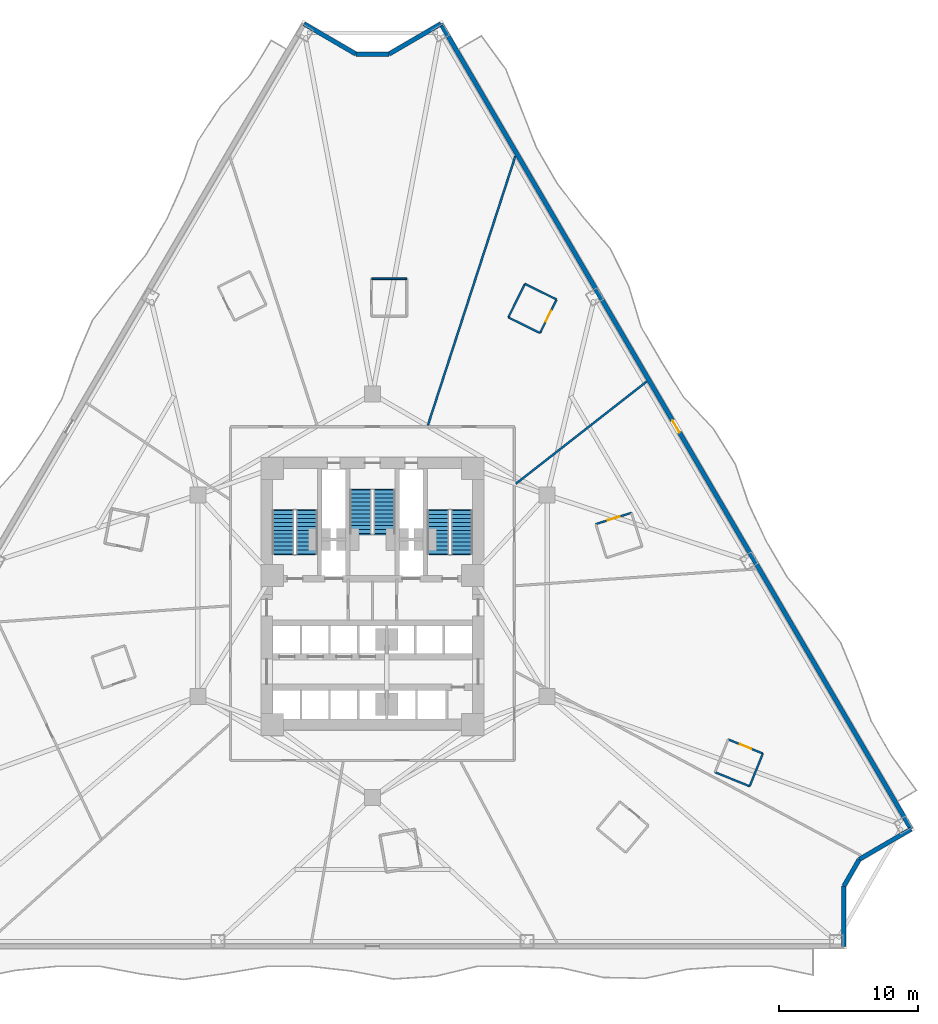
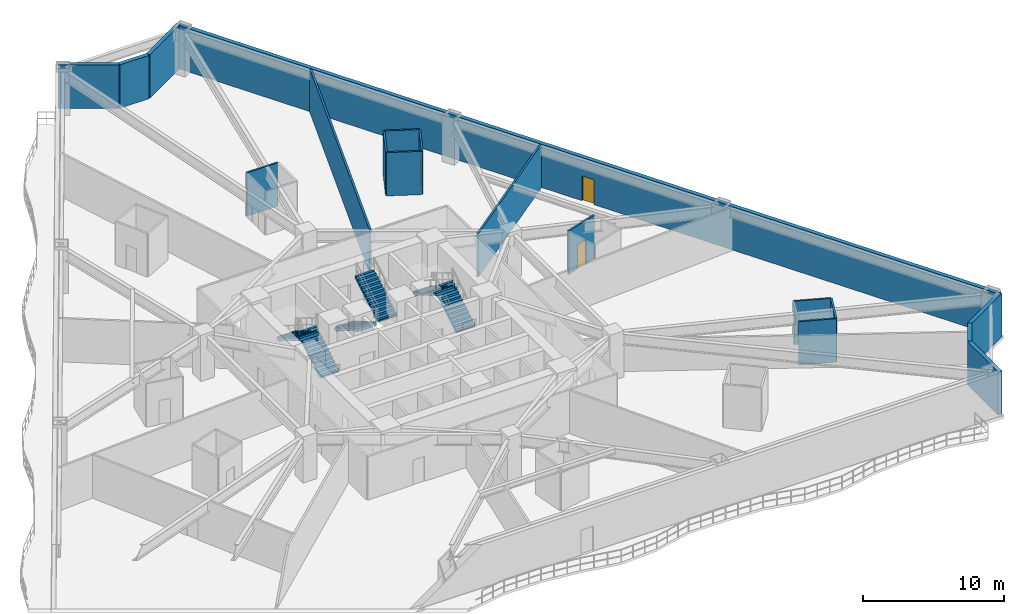
# One storey, part 7 of 12: 18 walls, 6 stair flights, 4 doors, 4 openings, 3 elements without a shape of their own.
"""IFC4 building model written with IfcOpenShell, lengths in metres."""

from ifc_helpers import new_model, si_unit, direction, frame, frame_2d, origin, place, context, subcontext, project, spatial, polyline, rectangle, outline, extrude, material, layer, layer_set, type_object, element, fill, aggregate, save


model = new_model("IFC4")

# Units and contexts
model_context = context("Model", 3, precision=1e-05, world=origin(), true_north=direction((0.0, 1.0)))
body_context = subcontext(model_context, "Body", "Model", "MODEL_VIEW")
ifc_project = project(units=[si_unit("LENGTHUNIT", "METRE"), si_unit("AREAUNIT", "SQUARE_METRE"), si_unit("VOLUMEUNIT", "CUBIC_METRE"), si_unit("PLANEANGLEUNIT", "RADIAN"), si_unit("MASSUNIT", "GRAM", prefix="KILO")], contexts=[model_context])

# Site, building, storey
site_placement = place(None, origin())
site = spatial("IfcSite", under=ifc_project, at=site_placement, CompositionType="ELEMENT")
building_placement = place(site_placement, origin())
building = spatial("IfcBuilding", under=site, at=building_placement, Name="Apsidion Concourse Tower", CompositionType="ELEMENT")
storey_placement = place(building_placement, frame((0.0, 0.0, 34.39990234375)))
storey = spatial("IfcBuildingStorey", under=building, at=storey_placement, Name="L06", CompositionType="ELEMENT", Elevation=34.39990234375)

# Wall, opening, door
ifc_material_1 = material(Name="Precast concrete C40/50", Category="concrete")
ifc_layer_1 = layer(ifc_material_1, 0.320068359375)
ifc_layer_set_1 = layer_set([ifc_layer_1], Name="Precast concrete C40/50")
wall_type_1 = type_object("IfcWallType", Name="WL-EXT-320", PredefinedType="STANDARD", material=ifc_layer_set_1)
wall_1_placement = place(storey_placement, frame((4.9228515625, 41.121826171875, 0.0), z_axis=(0.0, 0.0, 1.0), x_axis=(0.504213113214, -0.863579258935, 0.0)))
wall_1 = element("IfcWall", 1, at=wall_1_placement, inside=storey, type_object=wall_type_1, Name="L06 Precast Stone Facade Wall 01", PredefinedType="STANDARD", context=body_context, shape_type="SweptSolid", body=[
    extrude(rectangle(XDim=67.041015625, YDim=0.320068359375, at=frame_2d((33.5205078125, 0.0))), origin(), (0.0, 0.0, 1.0), 3.75),
])
opening_1_placement = place(wall_1_placement, frame((33.0205078125, 0.0, 0.0)))
opening_1 = element("IfcOpeningElement", 2, at=opening_1_placement, cuts=wall_1, Name="Opening D-T1L", PredefinedType="OPENING", context=body_context, shape_type="SweptSolid", body=[
    extrude(rectangle(XDim=1.0, YDim=2.14990234375, at=frame_2d((0.5, 1.074951171875))), frame((0.0, 0.169921875, 0.0), z_axis=(0.0, -1.0, 0.0), x_axis=(1.0, 0.0, 0.0)), (0.0, 0.0, 1.0), 0.340087890625),
])
ifc_material_2 = material(Name="Anodised aluminium EN AW-6063 T6", Category="aluminium")
door_type_1 = type_object("IfcDoorType", Name="DR-TER-1022L", OperationType="SINGLE_SWING_LEFT", PredefinedType="DOOR", material=ifc_material_2)
door_1_placement = place(opening_1_placement, origin())
door_1 = element("IfcDoor", 3, at=door_1_placement, inside=storey, type_object=door_type_1, Name="L06 Balcony Access Door 3", OperationType="SINGLE_SWING_LEFT", OverallHeight=2.14990234375, OverallWidth=1.0, PredefinedType="DOOR", context=body_context, shape_type="SweptSolid", body=[
    extrude(rectangle(XDim=1.0, YDim=2.14990234375, at=frame_2d((0.5, 1.074951171875))), frame((0.0, 0.02490234375, 0.0), z_axis=(0.0, -1.0, 0.0), x_axis=(1.0, 0.0, 0.0)), (0.0, 0.0, 1.0), 0.050048828125),
])
fill(opening_1, door_1)

# Walls
wall_2_placement = place(storey_placement, frame((38.725830078125, -16.7734375, 0.0), z_axis=(0.0, 0.0, 1.0), x_axis=(-0.863569936823, -0.504229079105, 0.0)))
element("IfcWall", 4, at=wall_2_placement, inside=storey, type_object=wall_type_1, Name="L06 Precast Stone Facade Wall 02", PredefinedType="STANDARD", context=body_context, shape_type="SweptSolid", body=[
    extrude(rectangle(XDim=4.32373046875, YDim=0.320068359375, at=frame_2d((2.161865234375, 0.0))), origin(), (0.0, 0.0, 1.0), 3.75),
])
wall_3_placement = place(storey_placement, frame((34.991943359375, -18.95361328125, 0.0), z_axis=(0.0, 0.0, 1.0), x_axis=(-0.497881323344, -0.867245171717, 0.0)))
element("IfcWall", 5, at=wall_3_placement, inside=storey, type_object=wall_type_1, Name="L06 Precast Stone Facade Wall 03", PredefinedType="STANDARD", context=body_context, shape_type="SweptSolid", body=[
    extrude(rectangle(XDim=2.216796875, YDim=0.320068359375, at=frame_2d((1.1083984375, 0.0))), origin(), (0.0, 0.0, 1.0), 3.75),
])
wall_4_placement = place(storey_placement, frame((33.88818359375, -20.876220703125, 0.0), z_axis=(0.0, 0.0, 1.0), x_axis=(0.0, -1.0, 0.0)))
element("IfcWall", 6, at=wall_4_placement, inside=storey, type_object=wall_type_1, Name="L06 Precast Stone Facade Wall 04", PredefinedType="STANDARD", context=body_context, shape_type="SweptSolid", body=[
    extrude(rectangle(XDim=4.32373046875, YDim=0.320068359375, at=frame_2d((2.161865234375, 0.0))), origin(), (0.0, 0.0, 1.0), 3.75),
])
wall_5_placement = place(storey_placement, frame((-4.9228515625, 41.121826171875, 0.0), z_axis=(0.0, 0.0, 1.0), x_axis=(0.863588414101, -0.50419743259, 0.0)))
element("IfcWall", 7, at=wall_5_placement, inside=storey, type_object=wall_type_1, Name="L06 Precast Stone Facade Wall 10", PredefinedType="STANDARD", context=body_context, shape_type="SweptSolid", body=[
    extrude(rectangle(XDim=4.324462890625, YDim=0.320068359375, at=frame_2d((2.162109375, 0.0))), origin(), (0.0, 0.0, 1.0), 3.75),
])
wall_6_placement = place(storey_placement, frame((-1.188232421875, 38.94140625, 0.0), z_axis=(0.0, 0.0, 1.0), x_axis=(1.0, 0.0, 0.0)))
element("IfcWall", 8, at=wall_6_placement, inside=storey, type_object=wall_type_1, Name="L06 Precast Stone Facade Wall 11", PredefinedType="STANDARD", context=body_context, shape_type="SweptSolid", body=[
    extrude(rectangle(XDim=2.37646484375, YDim=0.320068359375, at=frame_2d((1.188232421875, 0.0))), origin(), (0.0, 0.0, 1.0), 3.75),
])
wall_7_placement = place(storey_placement, frame((1.188232421875, 38.94140625, 0.0), z_axis=(0.0, 0.0, 1.0), x_axis=(0.863588414101, 0.50419743259, 0.0)))
element("IfcWall", 9, at=wall_7_placement, inside=storey, type_object=wall_type_1, Name="L06 Precast Stone Facade Wall 12", PredefinedType="STANDARD", context=body_context, shape_type="SweptSolid", body=[
    extrude(rectangle(XDim=4.324462890625, YDim=0.320068359375, at=frame_2d((2.162109375, 0.0))), origin(), (0.0, 0.0, 1.0), 3.75),
])
ifc_material_3 = material(Name="Gypsum plasterboard partition")
ifc_layer_2 = layer(ifc_material_3, 0.139892578125)
ifc_layer_set_2 = layer_set([ifc_layer_2], Name="Gypsum plasterboard partition")
wall_type_2 = type_object("IfcWallType", Name="WL-INT-PAR-140", PredefinedType="PARTITIONING", material=ifc_layer_set_2)
wall_8_placement = place(storey_placement, frame((24.6201171875, -12.68212890625, 0.0), z_axis=(0.0, 0.0, 1.0), x_axis=(0.926542709205, -0.376189590524, 0.0)))
element("IfcWall", 10, at=wall_8_placement, inside=storey, type_object=wall_type_2, Name="L06 Interior Partition WL-L06-POD-ENS04-S1", PredefinedType="PARTITIONING", context=body_context, shape_type="SweptSolid", body=[
    extrude(rectangle(XDim=2.68994140625, YDim=0.139892578125, at=frame_2d((1.344970703125, 0.0))), origin(), (0.0, 0.0, 1.0), 3.75),
])
wall_9_placement = place(storey_placement, frame((27.112548828125, -13.694091796875, 0.0), z_axis=(0.0, 0.0, 1.0), x_axis=(0.376224921193, 0.926528363664, 0.0)))
element("IfcWall", 11, at=wall_9_placement, inside=storey, type_object=wall_type_2, Name="L06 Interior Partition WL-L06-POD-ENS04-S2", PredefinedType="PARTITIONING", context=body_context, shape_type="SweptSolid", body=[
    extrude(rectangle(XDim=2.539794921875, YDim=0.139892578125, at=frame_2d((1.27001953125, 0.0))), origin(), (0.0, 0.0, 1.0), 3.75),
])

# Wall, opening, door
wall_10_placement = place(storey_placement, frame((28.068115234375, -11.3408203125, 0.0), z_axis=(0.0, 0.0, 1.0), x_axis=(-0.926542709205, 0.376189590524, 0.0)))
wall_10 = element("IfcWall", 12, at=wall_10_placement, inside=storey, type_object=wall_type_2, Name="L06 Interior Partition WL-L06-POD-ENS04-S3", PredefinedType="PARTITIONING", context=body_context, shape_type="SweptSolid", body=[
    extrude(rectangle(XDim=2.68994140625, YDim=0.139892578125, at=frame_2d((1.344970703125, 0.0))), origin(), (0.0, 0.0, 1.0), 3.75),
])
opening_2_placement = place(wall_10_placement, frame((0.905029296875, 0.0, 0.0)))
opening_2 = element("IfcOpeningElement", 13, at=opening_2_placement, cuts=wall_10, Name="Opening D-03L", PredefinedType="OPENING", context=body_context, shape_type="SweptSolid", body=[
    extrude(rectangle(XDim=0.8798828125, YDim=2.10009765625, at=frame_2d((0.43994140625, 1.050048828125))), frame((0.0, 0.080078125, 0.0), z_axis=(0.0, -1.0, 0.0), x_axis=(1.0, 0.0, 0.0)), (0.0, 0.0, 1.0), 0.159912109375),
])
door_type_2 = type_object("IfcDoorType", Name="DR-INT-D03L", OperationType="SINGLE_SWING_LEFT", PredefinedType="DOOR", material=ifc_material_2)
door_2_placement = place(opening_2_placement, origin())
door_2 = element("IfcDoor", 14, at=door_2_placement, inside=storey, type_object=door_type_2, Name="L06 Guest En-Suite Bathroom Door ENS04", OperationType="SINGLE_SWING_LEFT", OverallHeight=2.10009765625, OverallWidth=0.8798828125, PredefinedType="DOOR", context=body_context, shape_type="SweptSolid", body=[
    extrude(rectangle(XDim=0.8798828125, YDim=2.10009765625, at=frame_2d((0.43994140625, 1.050048828125))), frame((0.0, 0.02490234375, 0.0), z_axis=(0.0, -1.0, 0.0), x_axis=(1.0, 0.0, 0.0)), (0.0, 0.0, 1.0), 0.050048828125),
])
fill(opening_2, door_2)

wall_11_placement = place(storey_placement, frame((18.617919921875, 5.96533203125, 0.0), z_axis=(0.0, 0.0, 1.0), x_axis=(-0.953184072296, -0.302390681604, 0.0)))
wall_11 = element("IfcWall", 15, at=wall_11_placement, inside=storey, type_object=wall_type_2, Name="L06 Interior Partition WL-L06-POD-ENS05-S3", PredefinedType="PARTITIONING", context=body_context, shape_type="SweptSolid", body=[
    extrude(rectangle(XDim=2.690185546875, YDim=0.139892578125, at=frame_2d((1.34521484375, 0.0))), origin(), (0.0, 0.0, 1.0), 3.75),
])
opening_3_placement = place(wall_11_placement, frame((0.905029296875, 0.0, 0.0)))
opening_3 = element("IfcOpeningElement", 16, at=opening_3_placement, cuts=wall_11, Name="Opening D-03R", PredefinedType="OPENING", context=body_context, shape_type="SweptSolid", body=[
    extrude(rectangle(XDim=0.8798828125, YDim=2.10009765625, at=frame_2d((0.43994140625, 1.050048828125))), frame((0.0, 0.080078125, 0.0), z_axis=(0.0, -1.0, 0.0), x_axis=(1.0, 0.0, 0.0)), (0.0, 0.0, 1.0), 0.159912109375),
])
door_type_3 = type_object("IfcDoorType", Name="DR-INT-D03R", OperationType="SINGLE_SWING_RIGHT", PredefinedType="DOOR", material=ifc_material_2)
door_3_placement = place(opening_3_placement, origin())
door_3 = element("IfcDoor", 17, at=door_3_placement, inside=storey, type_object=door_type_3, Name="L06 Guest En-Suite Bathroom Door ENS05", OperationType="SINGLE_SWING_RIGHT", OverallHeight=2.10009765625, OverallWidth=0.8798828125, PredefinedType="DOOR", context=body_context, shape_type="SweptSolid", body=[
    extrude(rectangle(XDim=0.8798828125, YDim=2.10009765625, at=frame_2d((0.43994140625, 1.050048828125))), frame((0.0, 0.02490234375, 0.0), z_axis=(0.0, -1.0, 0.0), x_axis=(1.0, 0.0, 0.0)), (0.0, 0.0, 1.0), 0.050048828125),
])
fill(opening_3, door_3)

wall_12_placement = place(storey_placement, frame((12.04638671875, 18.889892578125, 0.0), z_axis=(0.0, 0.0, 1.0), x_axis=(0.441505331812, 0.897258626028, 0.0)))
wall_12 = element("IfcWall", 18, at=wall_12_placement, inside=storey, type_object=wall_type_2, Name="L06 Interior Partition WL-L06-POD-ENS06-S1", PredefinedType="PARTITIONING", context=body_context, shape_type="SweptSolid", body=[
    extrude(rectangle(XDim=2.690185546875, YDim=0.139892578125, at=frame_2d((1.34521484375, 0.0))), origin(), (0.0, 0.0, 1.0), 3.75),
])
opening_4_placement = place(wall_12_placement, frame((0.905029296875, 0.0, 0.0)))
opening_4 = element("IfcOpeningElement", 19, at=opening_4_placement, cuts=wall_12, Name="Opening D-03L", PredefinedType="OPENING", context=body_context, shape_type="SweptSolid", body=[
    extrude(rectangle(XDim=0.8798828125, YDim=2.10009765625, at=frame_2d((0.43994140625, 1.050048828125))), frame((0.0, 0.080078125, 0.0), z_axis=(0.0, -1.0, 0.0), x_axis=(1.0, 0.0, 0.0)), (0.0, 0.0, 1.0), 0.159912109375),
])
door_4_placement = place(opening_4_placement, origin())
door_4 = element("IfcDoor", 20, at=door_4_placement, inside=storey, type_object=door_type_2, Name="L06 Guest En-Suite Bathroom Door ENS06", OperationType="SINGLE_SWING_LEFT", OverallHeight=2.10009765625, OverallWidth=0.8798828125, PredefinedType="DOOR", context=body_context, shape_type="SweptSolid", body=[
    extrude(rectangle(XDim=0.8798828125, YDim=2.10009765625, at=frame_2d((0.43994140625, 1.050048828125))), frame((0.0, 0.02490234375, 0.0), z_axis=(0.0, -1.0, 0.0), x_axis=(1.0, 0.0, 0.0)), (0.0, 0.0, 1.0), 0.050048828125),
])
fill(opening_4, door_4)

# Walls
wall_13_placement = place(storey_placement, frame((13.234130859375, 21.3037109375, 0.0), z_axis=(0.0, 0.0, 1.0), x_axis=(-0.897273198593, 0.441475715173, 0.0)))
element("IfcWall", 21, at=wall_13_placement, inside=storey, type_object=wall_type_2, Name="L06 Interior Partition WL-L06-POD-ENS06-S2", PredefinedType="PARTITIONING", context=body_context, shape_type="SweptSolid", body=[
    extrude(rectangle(XDim=2.5400390625, YDim=0.139892578125, at=frame_2d((1.27001953125, 0.0))), origin(), (0.0, 0.0, 1.0), 3.75),
])
wall_14_placement = place(storey_placement, frame((10.955078125, 22.425048828125, 0.0), z_axis=(0.0, 0.0, 1.0), x_axis=(-0.441541285032, -0.897240933982, 0.0)))
element("IfcWall", 22, at=wall_14_placement, inside=storey, type_object=wall_type_2, Name="L06 Interior Partition WL-L06-POD-ENS06-S3", PredefinedType="PARTITIONING", context=body_context, shape_type="SweptSolid", body=[
    extrude(rectangle(XDim=2.68994140625, YDim=0.139892578125, at=frame_2d((1.344970703125, 0.0))), origin(), (0.0, 0.0, 1.0), 3.75),
])
for number, where, z_axis, x_axis, name in (
    (23, (9.767333984375, 20.011474609375, 0.0), (0.0, 0.0, 1.0), (0.897235121698, -0.441553095777, 0.0), "L06 Interior Partition WL-L06-POD-ENS06-S4"),
    (24, (2.469970703125, 22.793701171875, 0.0), (0.0, 0.0, 1.0), (-1.0, 0.0, 0.0), "L06 Interior Partition WL-L06-POD-ENS07-S2"),
):
    element("IfcWall", number, at=place(storey_placement, frame(where, z_axis=z_axis, x_axis=x_axis)), inside=storey, type_object=wall_type_2, Name=name, PredefinedType="PARTITIONING", context=body_context, shape_type="SweptSolid", body=[
        extrude(rectangle(XDim=2.5400390625, YDim=0.139892578125, at=frame_2d((1.27001953125, 0.0))), origin(), (0.0, 0.0, 1.0), 3.75),
    ])
ifc_layer_3 = layer(ifc_material_3, 0.14990234375)
ifc_layer_set_3 = layer_set([ifc_layer_3], Name="Gypsum plasterboard partition")
wall_type_3 = type_object("IfcWallType", Name="WL-INT-PAR-150", PredefinedType="PARTITIONING", material=ifc_layer_set_3)
wall_15_placement = place(storey_placement, frame((10.304931640625, 8.051025390625, 0.0), z_axis=(0.0, 0.0, 1.0), x_axis=(0.788008281042, 0.615664640051, 0.0)))
element("IfcWall", 25, at=wall_15_placement, inside=storey, type_object=wall_type_3, Name="L06 Interior Partition WL-L06-RAD-02-1", PredefinedType="PARTITIONING", context=body_context, shape_type="SweptSolid", body=[
    extrude(rectangle(XDim=11.960205078125, YDim=0.14990234375, at=frame_2d((5.97998046875, 0.0))), origin(), (0.0, 0.0, 1.0), 3.75),
])
wall_16_placement = place(storey_placement, frame((3.98193359375, 12.2548828125, 0.0), z_axis=(0.0, 0.0, 1.0), x_axis=(0.309011216684, 0.951058393561, 0.0)))
element("IfcWall", 26, at=wall_16_placement, inside=storey, type_object=wall_type_3, Name="L06 Interior Partition WL-L06-RAD-03-1", PredefinedType="PARTITIONING", context=body_context, shape_type="SweptSolid", body=[
    extrude(rectangle(XDim=20.3544921875, YDim=0.14990234375, at=frame_2d((10.17724609375, 0.0))), origin(), (0.0, 0.0, 1.0), 3.75),
])

# Stair, stair flights
stair_type = type_object("IfcStairType", Name="ST-DL-1550", PredefinedType="HALF_TURN_STAIR", material=ifc_material_1)
stair_1_placement = place(storey_placement, origin())
stair_1 = element("IfcStair", 27, at=stair_1_placement, inside=storey, type_object=stair_type, Name="L06 Protected Core Exit Stair ST1", PredefinedType="HALF_TURN_STAIR")
stair_flight_type = type_object("IfcStairFlightType", Name="SFL-RC-1550", PredefinedType="STRAIGHT", material=ifc_material_1)
stair_flight_1_placement = place(storey_placement, frame((-4.72509765625, 3.0, 0.0), z_axis=(0.0, 0.0, 1.0), x_axis=(0.0, 1.0, 0.0)))
stair_flight_1 = element("IfcStairFlight", 28, at=stair_flight_1_placement, type_object=stair_flight_type, Name="ST1 flight 1", NumberOfRisers=12, NumberOfTreads=11, PredefinedType="STRAIGHT", RiserHeight=0.166666667, TreadLength=0.285, context=body_context, shape_type="SweptSolid", body=[
    extrude(outline(polyline([(-0.080078125, -0.1123046875), (-0.080078125, 0.0), (0.0, 0.0), (0.0, 0.166748046875), (0.284912109375, 0.166748046875), (0.284912109375, 0.333251953125), (0.570068359375, 0.333251953125), (0.570068359375, 0.5), (0.85498046875, 0.5), (0.85498046875, 0.666748046875), (1.139892578125, 0.666748046875), (1.139892578125, 0.833251953125), (1.425048828125, 0.833251953125), (1.425048828125, 1.0), (1.7099609375, 1.0), (1.7099609375, 1.166748046875), (1.9951171875, 1.166748046875), (1.9951171875, 1.333251953125), (2.280029296875, 1.333251953125), (2.280029296875, 1.5), (2.56494140625, 1.5), (2.56494140625, 1.666748046875), (2.85009765625, 1.666748046875), (2.85009765625, 1.833251953125), (3.135009765625, 1.833251953125), (3.135009765625, 2.0), (3.215087890625, 1.916748046875), (3.215087890625, 1.65966796875), (3.135009765625, 1.65966796875), (0.296875, 0.0), (0.296875, -0.1123046875), (-0.080078125, -0.1123046875)])), frame((0.0, 0.77490234375, 0.0), z_axis=(0.0, -1.0, 0.0), x_axis=(1.0, 0.0, 0.0)), (0.0, 0.0, 1.0), 1.550048828125),
])
stair_flight_2_placement = place(storey_placement, frame((-6.425048828125, 6.135009765625, 2.0), z_axis=(0.0, 0.0, 1.0), x_axis=(0.0, -1.0, 0.0)))
stair_flight_2 = element("IfcStairFlight", 29, at=stair_flight_2_placement, type_object=stair_flight_type, Name="ST1 flight 2", NumberOfRisers=12, NumberOfTreads=11, PredefinedType="STRAIGHT", RiserHeight=0.166666667, TreadLength=0.285, context=body_context, shape_type="SweptSolid", body=[
    extrude(outline(polyline([(-0.080078125, -0.1123046875), (-0.080078125, 0.0), (0.0, 0.0), (0.0, 0.166748046875), (0.284912109375, 0.166748046875), (0.284912109375, 0.333251953125), (0.570068359375, 0.333251953125), (0.570068359375, 0.5), (0.85498046875, 0.5), (0.85498046875, 0.666748046875), (1.139892578125, 0.666748046875), (1.139892578125, 0.833251953125), (1.425048828125, 0.833251953125), (1.425048828125, 1.0), (1.7099609375, 1.0), (1.7099609375, 1.166748046875), (1.9951171875, 1.166748046875), (1.9951171875, 1.333251953125), (2.280029296875, 1.333251953125), (2.280029296875, 1.5), (2.56494140625, 1.5), (2.56494140625, 1.666748046875), (2.85009765625, 1.666748046875), (2.85009765625, 1.833251953125), (3.135009765625, 1.833251953125), (3.135009765625, 2.0), (3.215087890625, 1.916748046875), (3.215087890625, 1.65966796875), (3.135009765625, 1.65966796875), (0.296875, 0.0), (0.296875, -0.1123046875), (-0.080078125, -0.1123046875)])), frame((0.0, 0.77490234375, 0.0), z_axis=(0.0, -1.0, 0.0), x_axis=(1.0, 0.0, 0.0)), (0.0, 0.0, 1.0), 1.550048828125),
])
aggregate(stair_1, [stair_flight_1, stair_flight_2])

stair_2_placement = place(storey_placement, origin())
stair_2 = element("IfcStair", 30, at=stair_2_placement, inside=storey, type_object=stair_type, Name="L06 Protected Core Exit Stair ST2", PredefinedType="HALF_TURN_STAIR")
stair_flight_3_placement = place(storey_placement, frame((6.425048828125, 3.0, 0.0), z_axis=(0.0, 0.0, 1.0), x_axis=(0.0, 1.0, 0.0)))
stair_flight_3 = element("IfcStairFlight", 31, at=stair_flight_3_placement, type_object=stair_flight_type, Name="ST2 flight 1", NumberOfRisers=12, NumberOfTreads=11, PredefinedType="STRAIGHT", RiserHeight=0.166666667, TreadLength=0.285, context=body_context, shape_type="SweptSolid", body=[
    extrude(outline(polyline([(-0.080078125, -0.1123046875), (-0.080078125, 0.0), (0.0, 0.0), (0.0, 0.166748046875), (0.284912109375, 0.166748046875), (0.284912109375, 0.333251953125), (0.570068359375, 0.333251953125), (0.570068359375, 0.5), (0.85498046875, 0.5), (0.85498046875, 0.666748046875), (1.139892578125, 0.666748046875), (1.139892578125, 0.833251953125), (1.425048828125, 0.833251953125), (1.425048828125, 1.0), (1.7099609375, 1.0), (1.7099609375, 1.166748046875), (1.9951171875, 1.166748046875), (1.9951171875, 1.333251953125), (2.280029296875, 1.333251953125), (2.280029296875, 1.5), (2.56494140625, 1.5), (2.56494140625, 1.666748046875), (2.85009765625, 1.666748046875), (2.85009765625, 1.833251953125), (3.135009765625, 1.833251953125), (3.135009765625, 2.0), (3.215087890625, 1.916748046875), (3.215087890625, 1.65966796875), (3.135009765625, 1.65966796875), (0.296875, 0.0), (0.296875, -0.1123046875), (-0.080078125, -0.1123046875)])), frame((0.0, 0.77490234375, 0.0), z_axis=(0.0, -1.0, 0.0), x_axis=(1.0, 0.0, 0.0)), (0.0, 0.0, 1.0), 1.550048828125),
])
stair_flight_4_placement = place(storey_placement, frame((4.72509765625, 6.135009765625, 2.0), z_axis=(0.0, 0.0, 1.0), x_axis=(0.0, -1.0, 0.0)))
stair_flight_4 = element("IfcStairFlight", 32, at=stair_flight_4_placement, type_object=stair_flight_type, Name="ST2 flight 2", NumberOfRisers=12, NumberOfTreads=11, PredefinedType="STRAIGHT", RiserHeight=0.166666667, TreadLength=0.285, context=body_context, shape_type="SweptSolid", body=[
    extrude(outline(polyline([(-0.080078125, -0.1123046875), (-0.080078125, 0.0), (0.0, 0.0), (0.0, 0.166748046875), (0.284912109375, 0.166748046875), (0.284912109375, 0.333251953125), (0.570068359375, 0.333251953125), (0.570068359375, 0.5), (0.85498046875, 0.5), (0.85498046875, 0.666748046875), (1.139892578125, 0.666748046875), (1.139892578125, 0.833251953125), (1.425048828125, 0.833251953125), (1.425048828125, 1.0), (1.7099609375, 1.0), (1.7099609375, 1.166748046875), (1.9951171875, 1.166748046875), (1.9951171875, 1.333251953125), (2.280029296875, 1.333251953125), (2.280029296875, 1.5), (2.56494140625, 1.5), (2.56494140625, 1.666748046875), (2.85009765625, 1.666748046875), (2.85009765625, 1.833251953125), (3.135009765625, 1.833251953125), (3.135009765625, 2.0), (3.215087890625, 1.916748046875), (3.215087890625, 1.65966796875), (3.135009765625, 1.65966796875), (0.296875, 0.0), (0.296875, -0.1123046875), (-0.080078125, -0.1123046875)])), frame((0.0, 0.77490234375, 0.0), z_axis=(0.0, -1.0, 0.0), x_axis=(1.0, 0.0, 0.0)), (0.0, 0.0, 1.0), 1.550048828125),
])
aggregate(stair_2, [stair_flight_3, stair_flight_4])

stair_3_placement = place(storey_placement, origin())
stair_3 = element("IfcStair", 33, at=stair_3_placement, inside=storey, type_object=stair_type, Name="L06 Protected Core Exit Stair ST3", PredefinedType="HALF_TURN_STAIR")
stair_flight_5_placement = place(storey_placement, frame((-0.85009765625, 7.60009765625, 0.0), z_axis=(0.0, 0.0, 1.0), x_axis=(0.0, -1.0, 0.0)))
stair_flight_5 = element("IfcStairFlight", 34, at=stair_flight_5_placement, type_object=stair_flight_type, Name="ST3 flight 1", NumberOfRisers=12, NumberOfTreads=11, PredefinedType="STRAIGHT", RiserHeight=0.166666667, TreadLength=0.285, context=body_context, shape_type="SweptSolid", body=[
    extrude(outline(polyline([(-0.080078125, -0.1123046875), (-0.080078125, 0.0), (0.0, 0.0), (0.0, 0.166748046875), (0.284912109375, 0.166748046875), (0.284912109375, 0.333251953125), (0.570068359375, 0.333251953125), (0.570068359375, 0.5), (0.85498046875, 0.5), (0.85498046875, 0.666748046875), (1.139892578125, 0.666748046875), (1.139892578125, 0.833251953125), (1.425048828125, 0.833251953125), (1.425048828125, 1.0), (1.7099609375, 1.0), (1.7099609375, 1.166748046875), (1.9951171875, 1.166748046875), (1.9951171875, 1.333251953125), (2.280029296875, 1.333251953125), (2.280029296875, 1.5), (2.56494140625, 1.5), (2.56494140625, 1.666748046875), (2.85009765625, 1.666748046875), (2.85009765625, 1.833251953125), (3.135009765625, 1.833251953125), (3.135009765625, 2.0), (3.215087890625, 1.916748046875), (3.215087890625, 1.65966796875), (3.135009765625, 1.65966796875), (0.296875, 0.0), (0.296875, -0.1123046875), (-0.080078125, -0.1123046875)])), frame((0.0, 0.77490234375, 0.0), z_axis=(0.0, -1.0, 0.0), x_axis=(1.0, 0.0, 0.0)), (0.0, 0.0, 1.0), 1.550048828125),
])
stair_flight_6_placement = place(storey_placement, frame((0.85009765625, 4.465087890625, 2.0), z_axis=(0.0, 0.0, 1.0), x_axis=(0.0, 1.0, 0.0)))
stair_flight_6 = element("IfcStairFlight", 35, at=stair_flight_6_placement, type_object=stair_flight_type, Name="ST3 flight 2", NumberOfRisers=12, NumberOfTreads=11, PredefinedType="STRAIGHT", RiserHeight=0.166666667, TreadLength=0.285, context=body_context, shape_type="SweptSolid", body=[
    extrude(outline(polyline([(-0.080078125, -0.1123046875), (-0.080078125, 0.0), (0.0, 0.0), (0.0, 0.166748046875), (0.284912109375, 0.166748046875), (0.284912109375, 0.333251953125), (0.570068359375, 0.333251953125), (0.570068359375, 0.5), (0.85498046875, 0.5), (0.85498046875, 0.666748046875), (1.139892578125, 0.666748046875), (1.139892578125, 0.833251953125), (1.425048828125, 0.833251953125), (1.425048828125, 1.0), (1.7099609375, 1.0), (1.7099609375, 1.166748046875), (1.9951171875, 1.166748046875), (1.9951171875, 1.333251953125), (2.280029296875, 1.333251953125), (2.280029296875, 1.5), (2.56494140625, 1.5), (2.56494140625, 1.666748046875), (2.85009765625, 1.666748046875), (2.85009765625, 1.833251953125), (3.135009765625, 1.833251953125), (3.135009765625, 2.0), (3.215087890625, 1.916748046875), (3.215087890625, 1.65966796875), (3.135009765625, 1.65966796875), (0.296875, 0.0), (0.296875, -0.1123046875), (-0.080078125, -0.1123046875)])), frame((0.0, 0.77490234375, 0.0), z_axis=(0.0, -1.0, 0.0), x_axis=(1.0, 0.0, 0.0)), (0.0, 0.0, 1.0), 1.550048828125),
])
aggregate(stair_3, [stair_flight_5, stair_flight_6])

save(model, "model.ifc")
